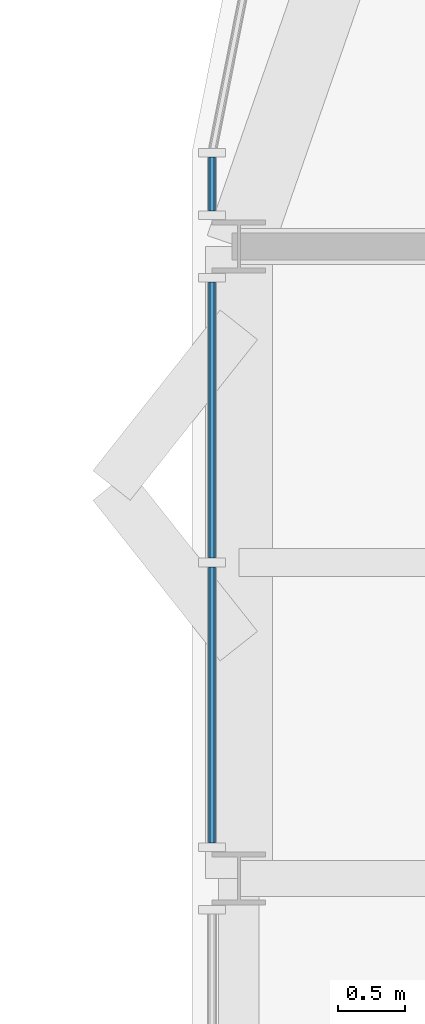
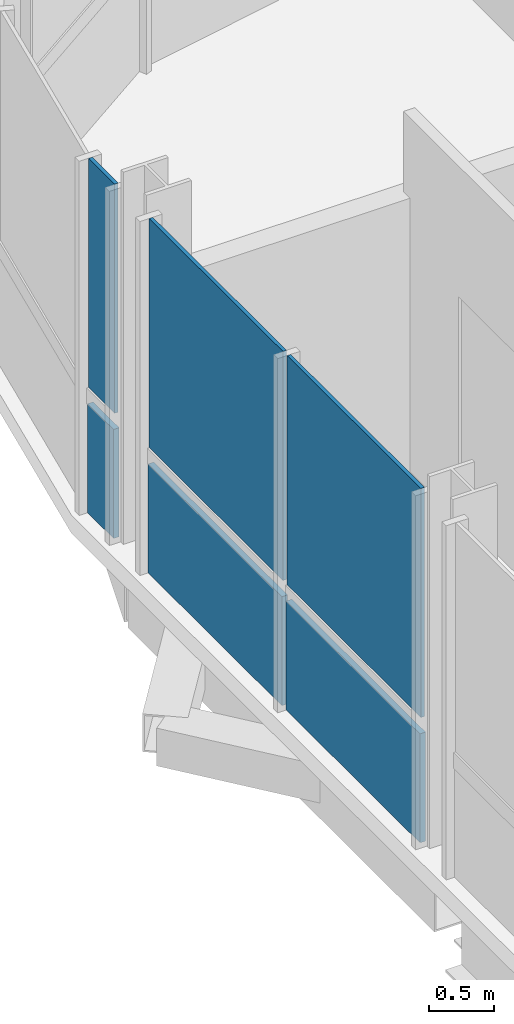
# One storey, part 9 of 17: 6 plates, 2 elements without a shape of their own.
"""IFC4 building model written with IfcOpenShell, lengths in metres."""

from ifc_helpers import new_model, si_unit, direction, frame, origin, origin_2d, place, context, subcontext, project, spatial, rectangle, extrude, material, layer, layer_set, type_object, element, aggregate, save


model = new_model("IFC4")

# Units and contexts
model_context = context("Model", 3, precision=1e-05, world=origin(), true_north=direction((0.0, 1.0)))
body_context = subcontext(model_context, "Body", "Model", "MODEL_VIEW")
ifc_project = project(units=[si_unit("LENGTHUNIT", "METRE"), si_unit("AREAUNIT", "SQUARE_METRE"), si_unit("VOLUMEUNIT", "CUBIC_METRE"), si_unit("PLANEANGLEUNIT", "RADIAN"), si_unit("MASSUNIT", "GRAM", prefix="KILO")], contexts=[model_context])

# Site, building, storey
site_placement = place(None, origin())
site = spatial("IfcSite", under=ifc_project, at=site_placement, CompositionType="ELEMENT")
building_placement = place(site_placement, origin())
building = spatial("IfcBuilding", under=site, at=building_placement, Name="Turquesa Mirador Hotel Tower", CompositionType="ELEMENT")
storey_placement = place(building_placement, frame((0.0, 0.0, 237.199951171875)))
storey = spatial("IfcBuildingStorey", under=building, at=storey_placement, Name="L64", CompositionType="ELEMENT", Elevation=237.199951171875)

# Curtain wall, plate
ifc_material_1 = material(Name="Aluminium extrusion", Category="aluminium")
curtain_wall_type = type_object("IfcCurtainWallType", Name="CW-4 SUITE FRITTED CURTAIN WALL", PredefinedType="USERDEFINED", material=ifc_material_1)
curtain_wall_1_placement = place(storey_placement, origin())
curtain_wall_1 = element("IfcCurtainWall", 1, at=curtain_wall_1_placement, inside=storey, type_object=curtain_wall_type, Name="CW-4 SUITE FRITTED CURTAIN WALL L64", ObjectType="CURTAIN WALL", PredefinedType="USERDEFINED")
ifc_material_2 = material(Name="Ceramic-printed spandrel glass on an insulated back pan", Category="glass")
ifc_layer_1 = layer(ifc_material_2, 0.050048828125)
ifc_layer_set_1 = layer_set([ifc_layer_1], Name="CW PANEL SPANDREL CERAMIC")
plate_type_1 = type_object("IfcPlateType", Name="CW PANEL SPANDREL CERAMIC", PredefinedType="CURTAIN_PANEL", material=ifc_layer_set_1)
plate_1_placement = place(storey_placement, frame((37.14990234375, 57.266845703125, 0.0), z_axis=(0.0, 0.0, 1.0), x_axis=(0.0, -1.0, 0.0)))
plate_1 = element("IfcPlate", 2, at=plate_1_placement, type_object=plate_type_1, Name="Panel", PredefinedType="CURTAIN_PANEL", context=body_context, shape_type="SweptSolid", body=[
    extrude(rectangle(XDim=0.401123046875, YDim=0.050048828125, at=origin_2d()), origin(), (0.0, 0.0, 1.0), 1.02490234375),
])

# Curtain wall, plates
curtain_wall_2_placement = place(storey_placement, origin())
curtain_wall_2 = element("IfcCurtainWall", 3, at=curtain_wall_2_placement, inside=storey, type_object=curtain_wall_type, Name="CW-4 SUITE FRITTED CURTAIN WALL L64", ObjectType="CURTAIN WALL", PredefinedType="USERDEFINED")
plate_2_placement = place(storey_placement, frame((37.14990234375, 55.503173828125, 0.0), z_axis=(0.0, 0.0, 1.0), x_axis=(0.0, -1.0, 0.0)))
plate_2 = element("IfcPlate", 4, at=plate_2_placement, type_object=plate_type_1, Name="Panel", PredefinedType="CURTAIN_PANEL", context=body_context, shape_type="SweptSolid", body=[
    extrude(rectangle(XDim=2.06103515625, YDim=0.050048828125, at=origin_2d()), origin(), (0.0, 0.0, 1.0), 1.02490234375),
])
plate_3_placement = place(storey_placement, frame((37.14990234375, 53.376953125, 0.0), z_axis=(0.0, 0.0, 1.0), x_axis=(0.0, -1.0, 0.0)))
plate_3 = element("IfcPlate", 5, at=plate_3_placement, type_object=plate_type_1, Name="Panel", PredefinedType="CURTAIN_PANEL", context=body_context, shape_type="SweptSolid", body=[
    extrude(rectangle(XDim=2.06103515625, YDim=0.050048828125, at=origin_2d()), origin(), (0.0, 0.0, 1.0), 1.02490234375),
])

# Plate
ifc_material_3 = material(Name="Ceramic-fritted laminated glass", Category="glass")
ifc_layer_2 = layer(ifc_material_3, 0.031982421875)
ifc_layer_set_2 = layer_set([ifc_layer_2], Name="CW PANEL VISION FRITTED")
plate_type_2 = type_object("IfcPlateType", Name="CW PANEL VISION FRITTED", PredefinedType="CURTAIN_PANEL", material=ifc_layer_set_2)
plate_4_placement = place(storey_placement, frame((37.14990234375, 57.266845703125, 1.1748046875), z_axis=(0.0, 0.0, 1.0), x_axis=(0.0, -1.0, 0.0)))
plate_4 = element("IfcPlate", 6, at=plate_4_placement, type_object=plate_type_2, Name="Panel", PredefinedType="CURTAIN_PANEL", context=body_context, shape_type="SweptSolid", body=[
    extrude(rectangle(XDim=0.401123046875, YDim=0.031982421875, at=origin_2d()), origin(), (0.0, 0.0, 1.0), 2.155029296875),
])

aggregate(curtain_wall_1, [plate_1, plate_4])

plate_5_placement = place(storey_placement, frame((37.14990234375, 55.503173828125, 1.1748046875), z_axis=(0.0, 0.0, 1.0), x_axis=(0.0, -1.0, 0.0)))
plate_5 = element("IfcPlate", 7, at=plate_5_placement, type_object=plate_type_2, Name="Panel", PredefinedType="CURTAIN_PANEL", context=body_context, shape_type="SweptSolid", body=[
    extrude(rectangle(XDim=2.06103515625, YDim=0.031982421875, at=origin_2d()), origin(), (0.0, 0.0, 1.0), 2.155029296875),
])

plate_6_placement = place(storey_placement, frame((37.14990234375, 53.376953125, 1.1748046875), z_axis=(0.0, 0.0, 1.0), x_axis=(0.0, -1.0, 0.0)))
plate_6 = element("IfcPlate", 8, at=plate_6_placement, type_object=plate_type_2, Name="Panel", PredefinedType="CURTAIN_PANEL", context=body_context, shape_type="SweptSolid", body=[
    extrude(rectangle(XDim=2.06103515625, YDim=0.031982421875, at=origin_2d()), origin(), (0.0, 0.0, 1.0), 2.155029296875),
])

aggregate(curtain_wall_2, [plate_2, plate_5, plate_3, plate_6])

save(model, "model.ifc")
